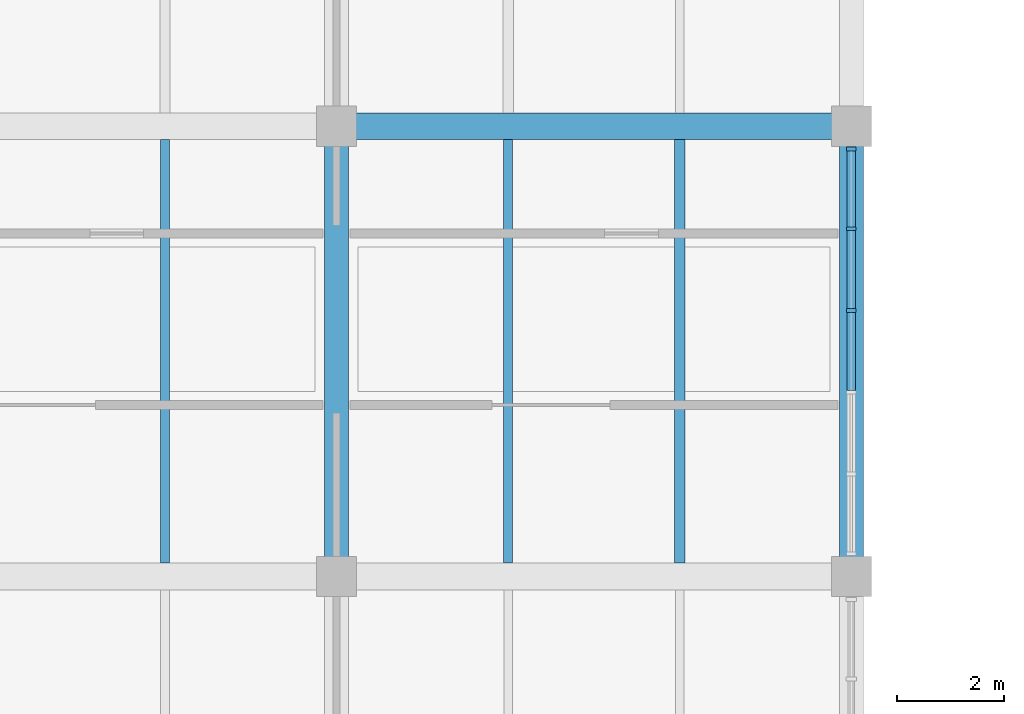
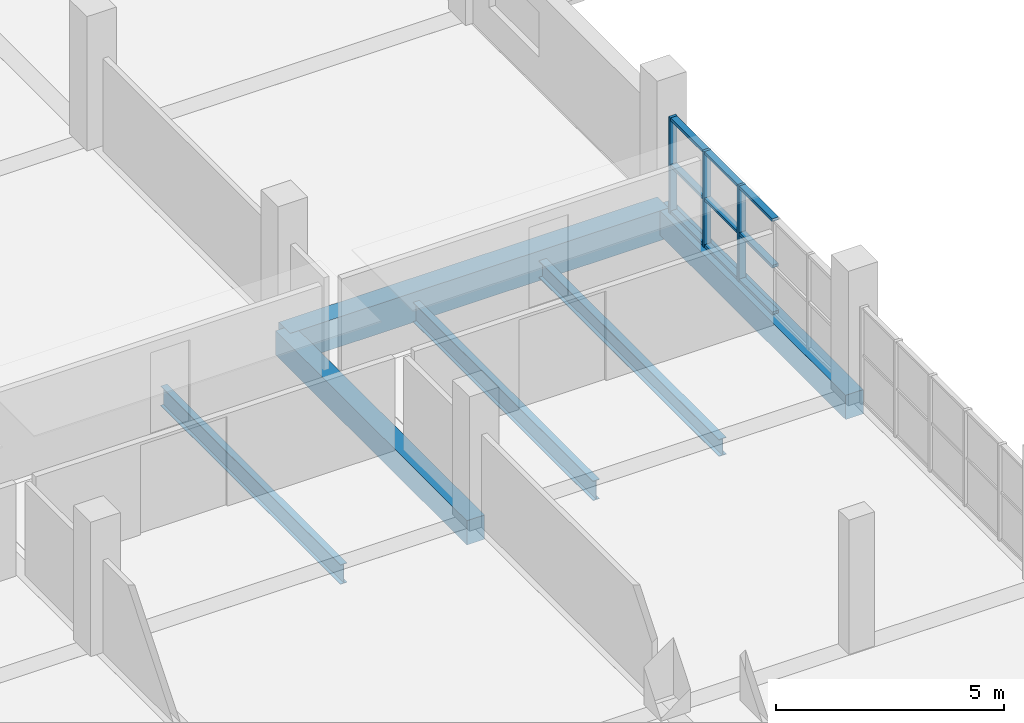
# One storey, part 75 of 147: 12 members, 6 beams, 1 element without a shape of its own.
"""IFC4 building model written with IfcOpenShell, lengths in metres."""

from ifc_helpers import new_model, si_unit, direction, frame, origin, origin_2d, place, context, subcontext, project, spatial, rectangle, i_section, extrude, material, material_profile, profile_set, type_object, element, aggregate, save


model = new_model("IFC4")

# Units and contexts
model_context = context("Model", 3, precision=1e-05, world=origin(), true_north=direction((0.0, 1.0)))
body_context = subcontext(model_context, "Body", "Model", "MODEL_VIEW")
ifc_project = project(units=[si_unit("LENGTHUNIT", "METRE"), si_unit("AREAUNIT", "SQUARE_METRE"), si_unit("VOLUMEUNIT", "CUBIC_METRE"), si_unit("PLANEANGLEUNIT", "RADIAN"), si_unit("MASSUNIT", "GRAM", prefix="KILO")], contexts=[model_context])

# Site, building, storey
site_placement = place(None, origin())
site = spatial("IfcSite", under=ifc_project, at=site_placement, CompositionType="ELEMENT")
building_placement = place(site_placement, origin())
building = spatial("IfcBuilding", under=site, at=building_placement, Name="Oolite Switchyard Hospital", CompositionType="ELEMENT")
storey_placement = place(building_placement, frame((0.0, 0.0, 9.89990234375)))
storey = spatial("IfcBuildingStorey", under=building, at=storey_placement, Name="L02", CompositionType="ELEMENT", Elevation=9.89990234375)

# Beams
ifc_material_1 = material(Name="Concrete C40/50", Category="concrete")
ifc_material_profile_1 = material_profile(ifc_material_1, rectangle(XDim=0.449951171875, YDim=0.64990234375, at=origin_2d()), Name="RCB450X650")
ifc_profile_set_1 = profile_set([ifc_material_profile_1], Name="Concrete C40/50")
beam_type_1 = type_object("IfcBeamType", Name="BM-RC450X650", PredefinedType="BEAM", material=ifc_profile_set_1)
for number, where, z_axis, x_axis, name in (
    (1, (163.199951171875, 84.0, -0.324951171875), (0.0, 1.0, 0.0), (-1.0, 0.0, 0.0), "L02 Y-Girder 1448"),
    (2, (172.800048828125, 84.0, -0.324951171875), (0.0, 1.0, 0.0), (-1.0, 0.0, 0.0), "L02 Y-Girder 1459"),
):
    element("IfcBeam", number, at=place(storey_placement, frame(where, z_axis=z_axis, x_axis=x_axis)), inside=storey, type_object=beam_type_1, Name=name, PredefinedType="BEAM", context=body_context, shape_type="SweptSolid", body=[
        extrude(rectangle(XDim=0.449951171875, YDim=0.64990234375, at=origin_2d()), origin(), (0.0, 0.0, 1.0), 8.39990234375),
    ])
ifc_material_profile_2 = material_profile(ifc_material_1, rectangle(XDim=0.5, YDim=0.800048828125, at=origin_2d()), Name="RCB500X800")
ifc_profile_set_2 = profile_set([ifc_material_profile_2], Name="Concrete C40/50")
beam_type_2 = type_object("IfcBeamType", Name="BM-RC500X800", PredefinedType="BEAM", material=ifc_profile_set_2)
beam_1_placement = place(storey_placement, frame((163.199951171875, 92.39990234375, -0.39990234375), z_axis=(1.0, 0.0, 0.0), x_axis=(0.0, 1.0, 0.0)))
element("IfcBeam", 3, at=beam_1_placement, inside=storey, type_object=beam_type_2, Name="L02 X-Girder 1159", PredefinedType="BEAM", context=body_context, shape_type="SweptSolid", body=[
    extrude(rectangle(XDim=0.5, YDim=0.800048828125, at=origin_2d()), origin(), (0.0, 0.0, 1.0), 9.60009765625),
])
ifc_material_2 = material(Name="Steel ASTM A992 Grade 50", Category="steel")
ifc_material_profile_3 = material_profile(ifc_material_2, i_section(OverallWidth=0.19091796875, OverallDepth=0.4599609375, WebThickness=0.010009765625, FlangeThickness=0.01611328125, at=origin_2d()), Name="W18X55")
ifc_profile_set_3 = profile_set([ifc_material_profile_3], Name="Steel ASTM A992 Grade 50")
beam_type_3 = type_object("IfcBeamType", Name="BM-W18X55", PredefinedType="JOIST", material=ifc_profile_set_3)
beam_2_placement = place(storey_placement, frame((169.60009765625, 84.25, -0.489990234375), z_axis=(0.0, 1.0, 0.0), x_axis=(-1.0, 0.0, 0.0)))
element("IfcBeam", 4, at=beam_2_placement, inside=storey, type_object=beam_type_3, Name="L02 Secondary Steel Joist 1843", PredefinedType="JOIST", context=body_context, shape_type="SweptSolid", body=[
    extrude(i_section(OverallWidth=0.19091796875, OverallDepth=0.4599609375, WebThickness=0.010009765625, FlangeThickness=0.01611328125, at=origin_2d()), origin(), (0.0, 0.0, 1.0), 7.89990234375),
])
ifc_material_profile_4 = material_profile(ifc_material_2, i_section(OverallWidth=0.166015625, OverallDepth=0.529052734375, WebThickness=0.010009765625, FlangeThickness=0.013916015625, at=origin_2d()), Name="W21X50")
ifc_profile_set_4 = profile_set([ifc_material_profile_4], Name="Steel ASTM A992 Grade 50")
beam_type_4 = type_object("IfcBeamType", Name="BM-W21X50", PredefinedType="JOIST", material=ifc_profile_set_4)
for number, where, z_axis, x_axis, name in (
    (5, (160.0, 84.25, -0.52392578125), (0.0, 1.0, 0.0), (-1.0, 0.0, 0.0), "L02 Secondary Steel Joist 1823"),
    (6, (166.39990234375, 84.25, -0.52392578125), (0.0, 1.0, 0.0), (-1.0, 0.0, 0.0), "L02 Secondary Steel Joist 1842"),
):
    element("IfcBeam", number, at=place(storey_placement, frame(where, z_axis=z_axis, x_axis=x_axis)), inside=storey, type_object=beam_type_4, Name=name, PredefinedType="JOIST", context=body_context, shape_type="SweptSolid", body=[
        extrude(i_section(OverallWidth=0.166015625, OverallDepth=0.529052734375, WebThickness=0.010009765625, FlangeThickness=0.013916015625, at=origin_2d()), origin(), (0.0, 0.0, 1.0), 7.89990234375),
    ])

# Curtain wall, members
ifc_material_3 = material(Name="Thermally broken aluminum frame with laminated impact glazing", Category="aluminium")
curtain_wall_type = type_object("IfcCurtainWallType", Name="CW-UNIT-84X36", PredefinedType="USERDEFINED", material=ifc_material_3)
curtain_wall_placement = place(storey_placement, origin())
curtain_wall = element("IfcCurtainWall", 7, at=curtain_wall_placement, inside=storey, type_object=curtain_wall_type, Name="L02 Unitised Curtain Wall 305", ObjectType="UNITISED", PredefinedType="USERDEFINED")
ifc_material_4 = material(Name="Aluminium 6063-T6", Category="aluminium")
ifc_material_profile_5 = material_profile(ifc_material_4, rectangle(XDim=0.179931640625, YDim=0.070068359375, at=origin_2d()), Name="CWM70X180")
ifc_profile_set_5 = profile_set([ifc_material_profile_5], Name="Aluminium 6063-T6")
member_type_1 = type_object("IfcMemberType", Name="CW-MUL-220", PredefinedType="MULLION", material=ifc_profile_set_5)
member_1_placement = place(storey_placement, frame((172.800048828125, 91.97509765625, 0.0), z_axis=(0.0, 0.0, 1.0), x_axis=(1.0, 0.0, 0.0)))
member_1 = element("IfcMember", 8, at=member_1_placement, type_object=member_type_1, Name="CW-08 mullion 1", PredefinedType="MULLION", context=body_context, shape_type="SweptSolid", body=[
    extrude(rectangle(XDim=0.179931640625, YDim=0.070068359375, at=origin_2d()), origin(), (0.0, 0.0, 1.0), 2.570068359375),
])
member_2_placement = place(storey_placement, frame((172.800048828125, 90.486083984375, 0.0), z_axis=(0.0, 0.0, 1.0), x_axis=(1.0, 0.0, 0.0)))
member_2 = element("IfcMember", 9, at=member_2_placement, type_object=member_type_1, Name="CW-08 mullion 2", PredefinedType="MULLION", context=body_context, shape_type="SweptSolid", body=[
    extrude(rectangle(XDim=0.179931640625, YDim=0.070068359375, at=origin_2d()), origin(), (0.0, 0.0, 1.0), 2.570068359375),
])
member_3_placement = place(storey_placement, frame((172.800048828125, 88.9619140625, 0.0), z_axis=(0.0, 0.0, 1.0), x_axis=(1.0, 0.0, 0.0)))
member_3 = element("IfcMember", 10, at=member_3_placement, type_object=member_type_1, Name="CW-08 mullion 3", PredefinedType="MULLION", context=body_context, shape_type="SweptSolid", body=[
    extrude(rectangle(XDim=0.179931640625, YDim=0.070068359375, at=origin_2d()), origin(), (0.0, 0.0, 1.0), 2.570068359375),
])
ifc_material_profile_6 = material_profile(ifc_material_4, rectangle(XDim=0.159912109375, YDim=0.074951171875, at=origin_2d()), Name="CWT75X160")
ifc_profile_set_6 = profile_set([ifc_material_profile_6], Name="Aluminium 6063-T6")
member_type_2 = type_object("IfcMemberType", Name="CW-TRN-180", PredefinedType="USERDEFINED", material=ifc_profile_set_6)
member_4_placement = place(storey_placement, frame((172.800048828125, 91.93994140625, 0.03759765625), z_axis=(0.0, -1.0, 0.0), x_axis=(1.0, 0.0, 0.0)))
member_4 = element("IfcMember", 11, at=member_4_placement, type_object=member_type_2, Name="CW-08 transom 1.1", ObjectType="TRANSOM", PredefinedType="USERDEFINED", context=body_context, shape_type="SweptSolid", body=[
    extrude(rectangle(XDim=0.159912109375, YDim=0.074951171875, at=origin_2d()), origin(), (0.0, 0.0, 1.0), 1.4189453125),
])
member_5_placement = place(storey_placement, frame((172.800048828125, 91.93994140625, 1.28515625), z_axis=(0.0, -1.0, 0.0), x_axis=(1.0, 0.0, 0.0)))
member_5 = element("IfcMember", 12, at=member_5_placement, type_object=member_type_2, Name="CW-08 transom 1.2", ObjectType="TRANSOM", PredefinedType="USERDEFINED", context=body_context, shape_type="SweptSolid", body=[
    extrude(rectangle(XDim=0.159912109375, YDim=0.074951171875, at=origin_2d()), origin(), (0.0, 0.0, 1.0), 1.4189453125),
])
member_6_placement = place(storey_placement, frame((172.800048828125, 91.93994140625, 2.53271484375), z_axis=(0.0, -1.0, 0.0), x_axis=(1.0, 0.0, 0.0)))
member_6 = element("IfcMember", 13, at=member_6_placement, type_object=member_type_2, Name="CW-08 transom 1.3", ObjectType="TRANSOM", PredefinedType="USERDEFINED", context=body_context, shape_type="SweptSolid", body=[
    extrude(rectangle(XDim=0.159912109375, YDim=0.074951171875, at=origin_2d()), origin(), (0.0, 0.0, 1.0), 1.4189453125),
])
member_7_placement = place(storey_placement, frame((172.800048828125, 90.450927734375, 0.03759765625), z_axis=(0.0, -1.0, 0.0), x_axis=(1.0, 0.0, 0.0)))
member_7 = element("IfcMember", 14, at=member_7_placement, type_object=member_type_2, Name="CW-08 transom 2.1", ObjectType="TRANSOM", PredefinedType="USERDEFINED", context=body_context, shape_type="SweptSolid", body=[
    extrude(rectangle(XDim=0.159912109375, YDim=0.074951171875, at=origin_2d()), origin(), (0.0, 0.0, 1.0), 1.453857421875),
])
member_8_placement = place(storey_placement, frame((172.800048828125, 90.450927734375, 1.28515625), z_axis=(0.0, -1.0, 0.0), x_axis=(1.0, 0.0, 0.0)))
member_8 = element("IfcMember", 15, at=member_8_placement, type_object=member_type_2, Name="CW-08 transom 2.2", ObjectType="TRANSOM", PredefinedType="USERDEFINED", context=body_context, shape_type="SweptSolid", body=[
    extrude(rectangle(XDim=0.159912109375, YDim=0.074951171875, at=origin_2d()), origin(), (0.0, 0.0, 1.0), 1.453857421875),
])
member_9_placement = place(storey_placement, frame((172.800048828125, 90.450927734375, 2.53271484375), z_axis=(0.0, -1.0, 0.0), x_axis=(1.0, 0.0, 0.0)))
member_9 = element("IfcMember", 16, at=member_9_placement, type_object=member_type_2, Name="CW-08 transom 2.3", ObjectType="TRANSOM", PredefinedType="USERDEFINED", context=body_context, shape_type="SweptSolid", body=[
    extrude(rectangle(XDim=0.159912109375, YDim=0.074951171875, at=origin_2d()), origin(), (0.0, 0.0, 1.0), 1.453857421875),
])
member_10_placement = place(storey_placement, frame((172.800048828125, 88.927001953125, 0.03759765625), z_axis=(0.0, -1.0, 0.0), x_axis=(1.0, 0.0, 0.0)))
member_10 = element("IfcMember", 17, at=member_10_placement, type_object=member_type_2, Name="CW-08 transom 3.1", ObjectType="TRANSOM", PredefinedType="USERDEFINED", context=body_context, shape_type="SweptSolid", body=[
    extrude(rectangle(XDim=0.159912109375, YDim=0.074951171875, at=origin_2d()), origin(), (0.0, 0.0, 1.0), 1.4541015625),
])
member_11_placement = place(storey_placement, frame((172.800048828125, 88.927001953125, 1.28515625), z_axis=(0.0, -1.0, 0.0), x_axis=(1.0, 0.0, 0.0)))
member_11 = element("IfcMember", 18, at=member_11_placement, type_object=member_type_2, Name="CW-08 transom 3.2", ObjectType="TRANSOM", PredefinedType="USERDEFINED", context=body_context, shape_type="SweptSolid", body=[
    extrude(rectangle(XDim=0.159912109375, YDim=0.074951171875, at=origin_2d()), origin(), (0.0, 0.0, 1.0), 1.4541015625),
])
member_12_placement = place(storey_placement, frame((172.800048828125, 88.927001953125, 2.53271484375), z_axis=(0.0, -1.0, 0.0), x_axis=(1.0, 0.0, 0.0)))
member_12 = element("IfcMember", 19, at=member_12_placement, type_object=member_type_2, Name="CW-08 transom 3.3", ObjectType="TRANSOM", PredefinedType="USERDEFINED", context=body_context, shape_type="SweptSolid", body=[
    extrude(rectangle(XDim=0.159912109375, YDim=0.074951171875, at=origin_2d()), origin(), (0.0, 0.0, 1.0), 1.4541015625),
])
aggregate(curtain_wall, [member_1, member_2, member_3, member_4, member_5, member_6, member_7, member_8, member_9, member_10, member_11, member_12])

save(model, "model.ifc")
